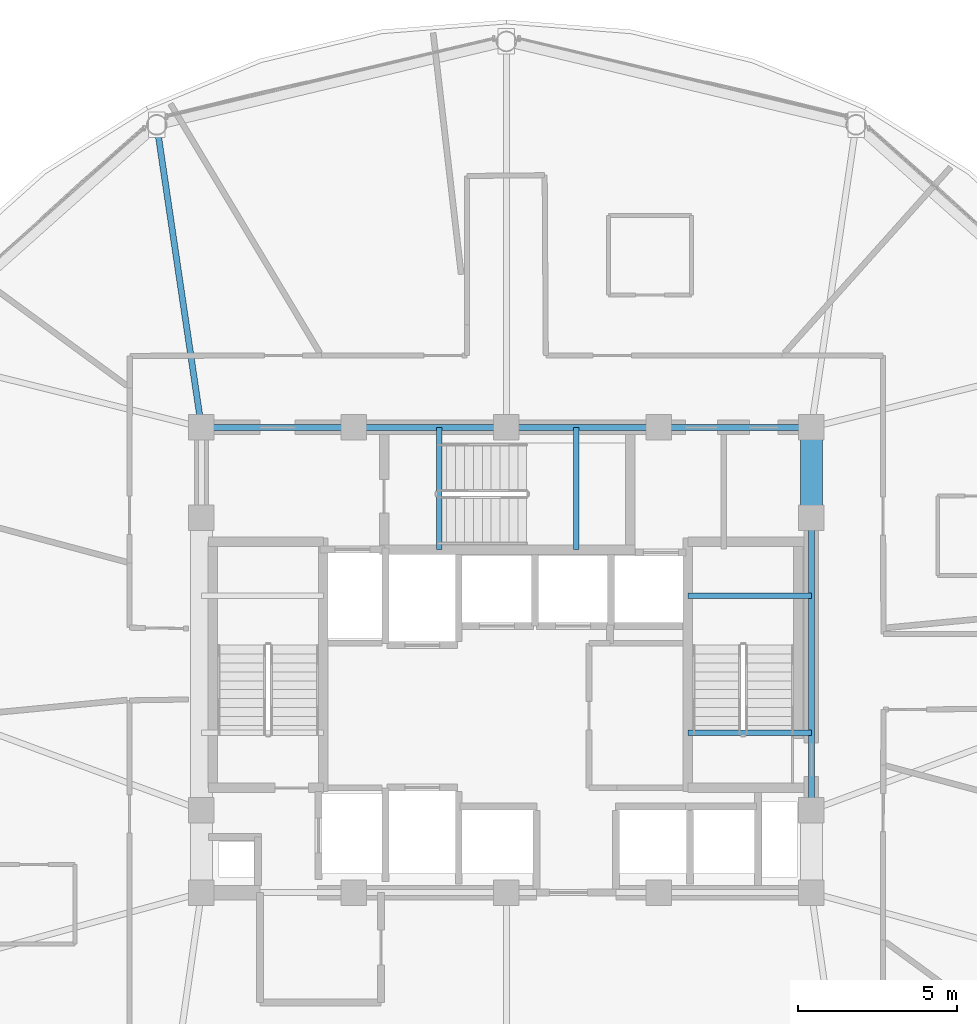
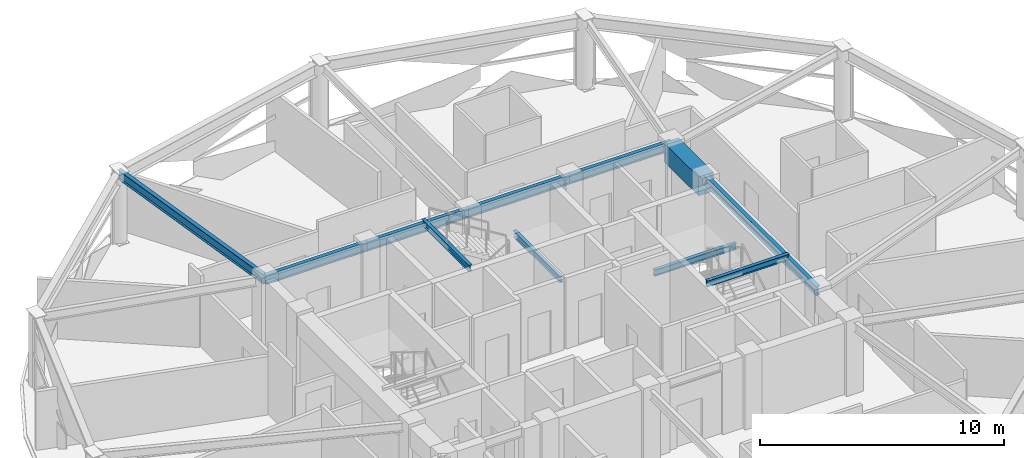
# One storey, part 10 of 28: 11 beams.
"""IFC4 building model written with IfcOpenShell, lengths in metres."""

from ifc_helpers import new_model, si_unit, direction, frame, origin, origin_2d, place, context, subcontext, project, spatial, rectangle, i_section, extrude, material, material_profile, profile_set, type_object, element, save


model = new_model("IFC4")

# Units and contexts
model_context = context("Model", 3, precision=1e-05, world=origin(), true_north=direction((0.0, 1.0)))
body_context = subcontext(model_context, "Body", "Model", "MODEL_VIEW")
ifc_project = project(units=[si_unit("LENGTHUNIT", "METRE"), si_unit("AREAUNIT", "SQUARE_METRE"), si_unit("VOLUMEUNIT", "CUBIC_METRE"), si_unit("PLANEANGLEUNIT", "RADIAN"), si_unit("MASSUNIT", "GRAM", prefix="KILO")], contexts=[model_context])

# Site, building, storey
site_placement = place(None, origin())
site = spatial("IfcSite", under=ifc_project, at=site_placement, CompositionType="ELEMENT")
building_placement = place(site_placement, origin())
building = spatial("IfcBuilding", under=site, at=building_placement, Name="Vantalir Tower", CompositionType="ELEMENT")
storey_placement = place(building_placement, frame((0.0, 0.0, 223.64990234375)))
storey = spatial("IfcBuildingStorey", under=building, at=storey_placement, Name="L56", CompositionType="ELEMENT", Elevation=223.64990234375)

# Beams
ifc_material_1 = material(Name="Concrete C60/75", Category="concrete")
ifc_material_profile_1 = material_profile(ifc_material_1, rectangle(XDim=0.699951171875, YDim=0.949951171875, at=origin_2d()), Name="Concrete C60/75")
ifc_profile_set_1 = profile_set([ifc_material_profile_1], Name="Concrete C60/75")
beam_type_1 = type_object("IfcBeamType", Name="BM-CB-700x950", PredefinedType="USERDEFINED", material=ifc_profile_set_1)
beam_1_placement = place(storey_placement, frame((41.10009765625, 29.60009765625, 3.09521484375), z_axis=(0.0, 1.0, 0.0), x_axis=(-1.0, 0.0, 0.0)))
element("IfcBeam", 1, at=beam_1_placement, inside=storey, type_object=beam_type_1, Name="L56 Core Coupling Girder 07", ObjectType="GIRDER", PredefinedType="USERDEFINED", context=body_context, shape_type="SweptSolid", body=[
    extrude(rectangle(XDim=0.699951171875, YDim=0.949951171875, at=origin_2d()), origin(), (0.0, 0.0, 1.0), 2.849853515625),
])
ifc_material_2 = material(Name="Steel S355", Category="steel")
ifc_material_profile_2 = material_profile(ifc_material_2, i_section(OverallWidth=0.166015625, OverallDepth=0.306884765625, WebThickness=0.006591796875, FlangeThickness=0.01171875, at=origin_2d()), Name="Steel S355")
ifc_profile_set_2 = profile_set([ifc_material_profile_2], Name="Steel S355")
beam_type_2 = type_object("IfcBeamType", Name="BM-JS-305x165", PredefinedType="JOIST", material=ifc_profile_set_2)
for number, where, z_axis, x_axis, name in (
    (2, (37.2099609375, 22.8349609375, 3.59619140625), (1.0, 0.0, 0.0), (0.0, 1.0, 0.0), "L57 Stair ST2 Well Nosing Trimmer Beam"),
    (3, (37.2099609375, 27.14501953125, 1.52099609375), (1.0, 0.0, 0.0), (0.0, 1.0, 0.0), "L56 Stair ST2 Half-Landing Support Beam"),
):
    element("IfcBeam", number, at=place(storey_placement, frame(where, z_axis=z_axis, x_axis=x_axis)), inside=storey, type_object=beam_type_2, Name=name, PredefinedType="JOIST", context=body_context, shape_type="SweptSolid", body=[
        extrude(i_section(OverallWidth=0.166015625, OverallDepth=0.306884765625, WebThickness=0.006591796875, FlangeThickness=0.01171875, at=origin_2d()), origin(), (0.0, 0.0, 1.0), 3.89013671875),
    ])
for number, where, z_axis, x_axis, name in (
    (4, (29.385009765625, 28.60009765625, 3.59619140625), (0.0, 1.0, 0.0), (-1.0, 0.0, 0.0), "L57 Stair ST3 Well Nosing Trimmer Beam"),
    (5, (33.695068359375, 28.60009765625, 1.52099609375), (0.0, 1.0, 0.0), (-1.0, 0.0, 0.0), "L56 Stair ST3 Half-Landing Support Beam"),
):
    element("IfcBeam", number, at=place(storey_placement, frame(where, z_axis=z_axis, x_axis=x_axis)), inside=storey, type_object=beam_type_2, Name=name, PredefinedType="JOIST", context=body_context, shape_type="SweptSolid", body=[
        extrude(i_section(OverallWidth=0.166015625, OverallDepth=0.306884765625, WebThickness=0.006591796875, FlangeThickness=0.01171875, at=origin_2d()), origin(), (0.0, 0.0, 1.0), 3.849853515625),
    ])
ifc_material_profile_3 = material_profile(ifc_material_2, i_section(OverallWidth=0.19189453125, OverallDepth=0.462890625, WebThickness=0.010498046875, FlangeThickness=0.017578125, at=origin_2d()), Name="Steel S355")
ifc_profile_set_3 = profile_set([ifc_material_profile_3], Name="Steel S355")
beam_type_3 = type_object("IfcBeamType", Name="BM-RB-457x191", PredefinedType="BEAM", material=ifc_profile_set_3)
beam_2_placement = place(storey_placement, frame((41.10009765625, 20.39990234375, 3.338134765625), z_axis=(0.0, 1.0, 0.0), x_axis=(-1.0, 0.0, 0.0)))
element("IfcBeam", 6, at=beam_2_placement, inside=storey, type_object=beam_type_3, Name="L56 Core Coupling Girder 06", PredefinedType="BEAM", context=body_context, shape_type="SweptSolid", body=[
    extrude(i_section(OverallWidth=0.19189453125, OverallDepth=0.462890625, WebThickness=0.010498046875, FlangeThickness=0.017578125, at=origin_2d()), origin(), (0.0, 0.0, 1.0), 9.2001953125),
])
for number, where, z_axis, x_axis, name in (
    (7, (41.10009765625, 32.449951171875, 3.338134765625), (-1.0, 0.0, 0.0), (0.0, -1.0, 0.0), "L56 Core Coupling Girder 08"),
    (8, (36.300048828125, 32.449951171875, 3.338134765625), (-1.0, 0.0, 0.0), (0.0, -1.0, 0.0), "L56 Core Coupling Girder 09"),
    (9, (31.5, 32.449951171875, 3.338134765625), (-1.0, 0.0, 0.0), (0.0, -1.0, 0.0), "L56 Core Coupling Girder 10"),
    (10, (26.699951171875, 32.449951171875, 3.338134765625), (-1.0, 0.0, 0.0), (0.0, -1.0, 0.0), "L56 Core Coupling Girder 11"),
):
    element("IfcBeam", number, at=place(storey_placement, frame(where, z_axis=z_axis, x_axis=x_axis)), inside=storey, type_object=beam_type_3, Name=name, PredefinedType="BEAM", context=body_context, shape_type="SweptSolid", body=[
        extrude(i_section(OverallWidth=0.19189453125, OverallDepth=0.462890625, WebThickness=0.010498046875, FlangeThickness=0.017578125, at=origin_2d()), origin(), (0.0, 0.0, 1.0), 4.800048828125),
    ])
beam_3_placement = place(storey_placement, frame((20.493896484375, 41.970947265625, 3.338134765625), z_axis=(0.146089890003, -0.989271319729, 0.0), x_axis=(0.989271319729, 0.146089890003, 0.0)))
element("IfcBeam", 11, at=beam_3_placement, inside=storey, type_object=beam_type_3, Name="L56 Radial Floor Beam 05", PredefinedType="BEAM", context=body_context, shape_type="SweptSolid", body=[
    extrude(i_section(OverallWidth=0.19189453125, OverallDepth=0.462890625, WebThickness=0.010498046875, FlangeThickness=0.017578125, at=origin_2d()), origin(), (0.0, 0.0, 1.0), 9.624267578125),
])

save(model, "model.ifc")
